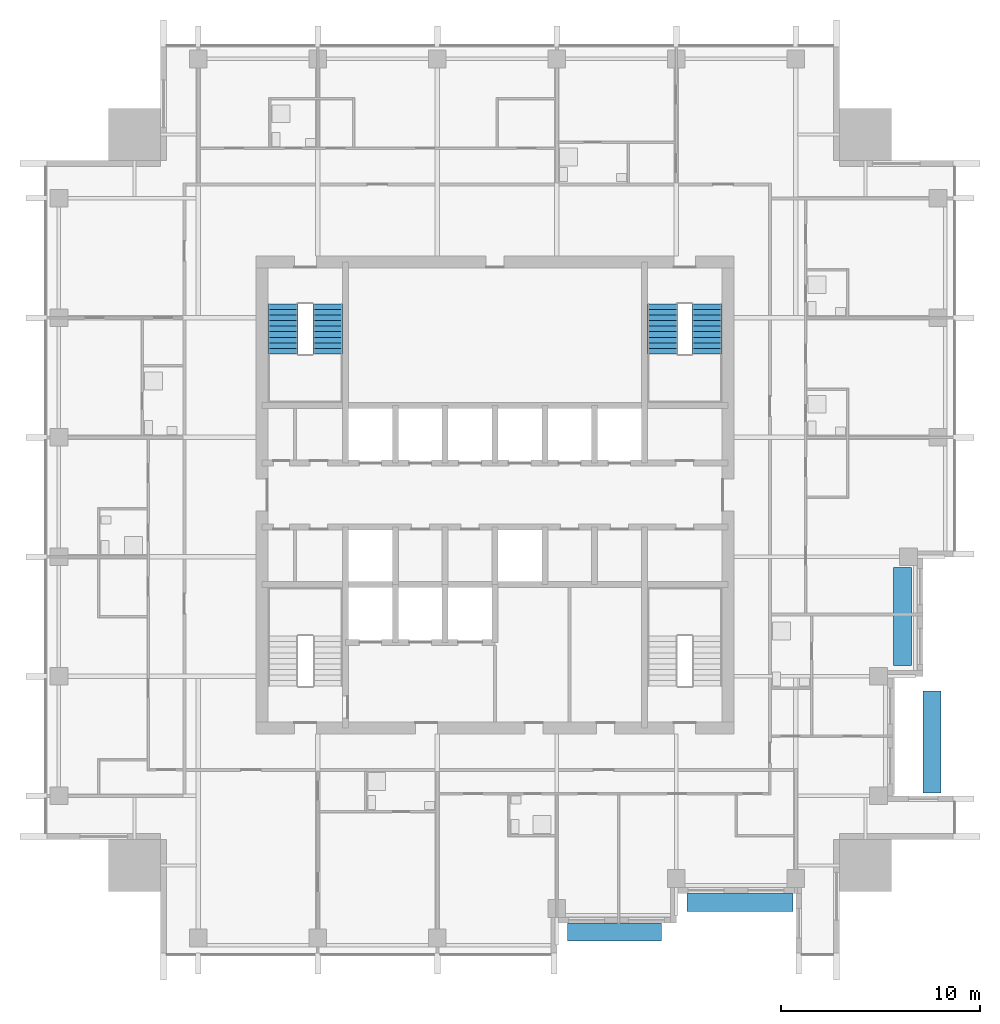
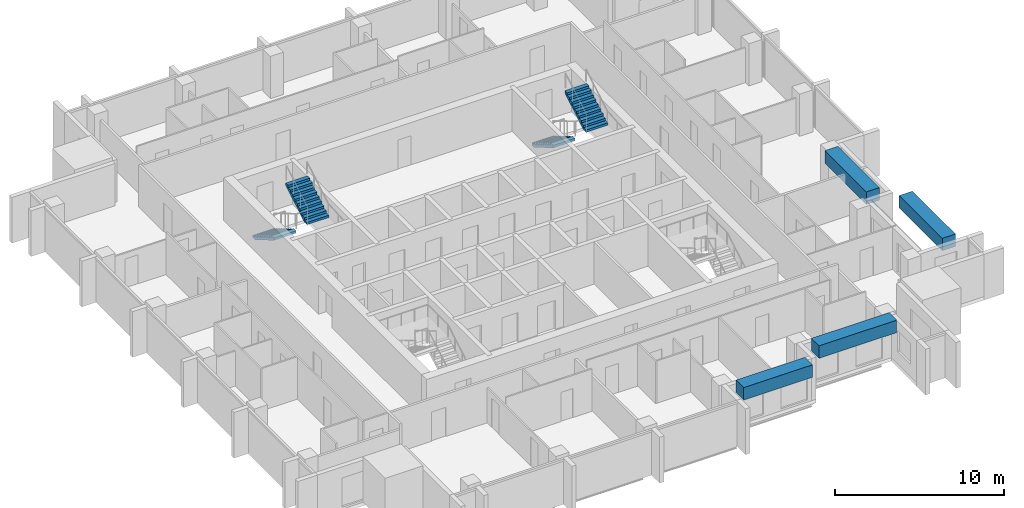
# One storey, part 8 of 10: 4 discrete accessories, 4 stair flights, 2 elements without a shape of their own.
"""IFC4 building model written with IfcOpenShell, lengths in metres."""

import ifcopenshell
import ifcopenshell.guid

model = None  # the IFC model being written
_history = None  # IfcOwnerHistory: only IFC2X3 demands one
_inside = {}  # id of a spatial element -> (the spatial element, [elements in it])
_under = {}  # id of a project, library or spatial element -> (it, [spatial elements below it])
_declared = {}  # id of a project -> (the project, [libraries it declares])
_typed = {}  # id of a type object -> (the type object, [elements of that type])
_made_of = {}  # id of a material, layer set ... -> (it, [elements and type objects made of it])


def new_model(schema):
    """Start an empty IFC model of exactly this schema.

    Asked for "IFC4X3", IfcOpenShell would pick the latest addendum, in which some entities
    have other attributes; the version numbers below select the first issue.
    IFC2X3 requires an IfcOwnerHistory on every rooted entity: one is made here for all.
    """
    global model, _history
    if schema == "IFC4X3":
        model = ifcopenshell.file(schema_version=(4, 3, 0, 0))
    else:
        model = ifcopenshell.file(schema=schema)
    _inside.clear()
    _under.clear()
    _declared.clear()
    _typed.clear()
    _made_of.clear()
    _history = None
    if model.schema == "IFC2X3":
        org = make("IfcOrganization", Name="unknown")
        user = make(
            "IfcPersonAndOrganization",
            ThePerson=make("IfcPerson", FamilyName="unknown"),
            TheOrganization=org,
        )
        app = make(
            "IfcApplication",
            ApplicationDeveloper=org,
            Version="unknown",
            ApplicationFullName="unknown",
            ApplicationIdentifier="unknown",
        )
        _history = make(
            "IfcOwnerHistory",
            OwningUser=user,
            OwningApplication=app,
            ChangeAction="ADDED",
            CreationDate=0,
        )
    return model


def make(cls, **values):
    """One entity of the class cls with the attributes given. An attribute that is None is left unset."""
    return model.create_entity(
        cls, **{name: value for name, value in values.items() if value is not None}
    )


def rooted(cls, **values):
    """An entity with a GlobalId (a new one), such as an element, a storey or a relation."""
    return make(cls, GlobalId=ifcopenshell.guid.new(), OwnerHistory=_history, **values)


def si_unit(unit_type, name, prefix=None):
    """IfcSIUnit, for example si_unit("LENGTHUNIT", "METRE", prefix="MILLI")."""
    return make("IfcSIUnit", UnitType=unit_type, Prefix=prefix, Name=name)


def assignment(units):
    """IfcUnitAssignment: the units of a project."""
    return None if units is None else make("IfcUnitAssignment", Units=units)


def point(xyz):
    """IfcCartesianPoint."""
    return None if xyz is None else make("IfcCartesianPoint", Coordinates=xyz)


def direction(xyz):
    """IfcDirection."""
    return None if xyz is None else make("IfcDirection", DirectionRatios=xyz)


def frame(location, z_axis=None, x_axis=None):
    """IfcAxis2Placement3D, a coordinate frame: its origin and axes. An axis left out is left unset."""
    return make(
        "IfcAxis2Placement3D",
        Location=point(location),
        Axis=direction(z_axis),
        RefDirection=direction(x_axis),
    )


def frame_2d(location, x_axis=None):
    """IfcAxis2Placement2D, a coordinate frame in the plane: its origin and x axis."""
    return make(
        "IfcAxis2Placement2D", Location=point(location), RefDirection=direction(x_axis)
    )


def origin():
    """The frame at (0, 0, 0) with its axes left unset."""
    return frame((0.0, 0.0, 0.0))


def origin_2d():
    """The frame at (0, 0) in the plane with its x axis left unset."""
    return frame_2d((0.0, 0.0))


def place(relative_to, where):
    """IfcLocalPlacement: puts the frame where relative to a parent placement (None: the world)."""
    return make(
        "IfcLocalPlacement", PlacementRelTo=relative_to, RelativePlacement=where
    )


def context(
    kind, dimensions, precision=None, world=None, true_north=None, identifier=None
):
    """IfcGeometricRepresentationContext, for example the 3D "Model" context."""
    return make(
        "IfcGeometricRepresentationContext",
        ContextIdentifier=identifier,
        ContextType=kind,
        CoordinateSpaceDimension=dimensions,
        Precision=precision,
        WorldCoordinateSystem=world,
        TrueNorth=true_north,
    )


def subcontext(parent, identifier, kind, view, scale=None):
    """IfcGeometricRepresentationSubContext, for example "Body" below "Model"."""
    return make(
        "IfcGeometricRepresentationSubContext",
        ContextIdentifier=identifier,
        ContextType=kind,
        ParentContext=parent,
        TargetScale=scale,
        TargetView=view,
    )


def project(units=None, contexts=None):
    """IfcProject with its units and contexts."""
    return rooted(
        "IfcProject",
        Name="project",
        RepresentationContexts=contexts,
        UnitsInContext=assignment(units),
    )


def spatial(cls, under=None, at=None, **own):
    """A site, building, storey or space (cls), placed at a placement, below another one or the project."""
    s = rooted(cls, ObjectPlacement=at, **own)
    if under is not None:
        _under.setdefault(under.id(), (under, []))[1].append(s)
    return s


def polyline(points):
    """IfcPolyline through the points."""
    return make("IfcPolyline", Points=[point(p) for p in points])


def profile(cls, at=None, kind="AREA", **sizes):
    """A parametric profile (cls). Its sizes go by their IFC names, for example OverallWidth=200.0."""
    return make(cls, ProfileType=kind, Position=at, **sizes)


def rectangle(**sizes):
    """IfcRectangleProfileDef."""
    return profile("IfcRectangleProfileDef", **sizes)


def outline(outer, holes=None, kind="AREA"):
    """IfcArbitraryClosedProfileDef: a profile drawn as a closed curve; with holes, ...WithVoids."""
    if holes is None:
        return make("IfcArbitraryClosedProfileDef", ProfileType=kind, OuterCurve=outer)
    return make(
        "IfcArbitraryProfileDefWithVoids",
        ProfileType=kind,
        OuterCurve=outer,
        InnerCurves=holes,
    )


def extrude(swept, where, along, depth):
    """IfcExtrudedAreaSolid: the profile swept, set in the frame where, extruded along a direction by depth."""
    return make(
        "IfcExtrudedAreaSolid",
        SweptArea=swept,
        Position=where,
        ExtrudedDirection=direction(along),
        Depth=depth,
    )


def shape(context_of_items, identifier, shape_type, items):
    """IfcShapeRepresentation: the items that make up one representation, for example the "Body"."""
    return make(
        "IfcShapeRepresentation",
        ContextOfItems=context_of_items,
        RepresentationIdentifier=identifier,
        RepresentationType=shape_type,
        Items=items,
    )


def material(Name=None, Category=None):
    """IfcMaterial."""
    return make("IfcMaterial", Name=Name, Category=Category)


def made_of(thing, what):
    """Note that an element or type object is made of a material, layer set ...; save() writes the relation."""
    if what is not None:
        _made_of.setdefault(what.id(), (what, []))[1].append(thing)
    return thing


def type_object(cls, material=None, **own):
    """A type object (cls), such as IfcWallType, which elements share."""
    return made_of(rooted(cls, **own), material)


def element(
    cls,
    number,
    at=None,
    inside=None,
    cuts=None,
    type_object=None,
    material=None,
    context=None,
    identifier="Body",
    shape_type=None,
    held_by="IfcProductDefinitionShape",
    body=None,
    shapes=None,
    **own,
):
    """One element of the class cls, such as IfcWall. Its Tag is "e" and its number.

    at: its placement. inside: the storey or other place that contains it. cuts: it is an
    opening in that element (IfcRelVoidsElement). A single representation is given by context,
    identifier, shape_type and body (its items); several are given by shapes. held_by: the class
    of the entity that holds the representations. save() writes the other relations.
    """
    e = rooted(cls, Tag="e%d" % number, ObjectPlacement=at, **own)
    if body is not None:
        shapes = [shape(context, identifier, shape_type, body)]
    if shapes is not None:
        e.Representation = make(held_by, Representations=shapes)
    if inside is not None:
        _inside.setdefault(inside.id(), (inside, []))[1].append(e)
    if cuts is not None:
        rooted(
            "IfcRelVoidsElement", RelatingBuildingElement=cuts, RelatedOpeningElement=e
        )
    if type_object is not None:
        _typed.setdefault(type_object.id(), (type_object, []))[1].append(e)
    return made_of(e, material)


def aggregate(whole, parts):
    """IfcRelAggregates: a whole, such as a stair, and the parts it consists of."""
    return rooted("IfcRelAggregates", RelatingObject=whole, RelatedObjects=parts)


def save(model, path):
    """Write the relations noted so far, then the file.

    IfcRelAggregates (storeys below a building ...), IfcRelContainedInSpatialStructure (elements
    in a storey), IfcRelDefinesByType, IfcRelAssociatesMaterial and IfcRelDeclares: one each for
    every whole, place, type object, material and project.
    """
    for whole, parts in _under.values():
        aggregate(whole, parts)
    for where, things in _inside.values():
        rooted(
            "IfcRelContainedInSpatialStructure",
            RelatedElements=things,
            RelatingStructure=where,
        )
    for kind, things in _typed.values():
        rooted("IfcRelDefinesByType", RelatedObjects=things, RelatingType=kind)
    for what, things in _made_of.values():
        rooted("IfcRelAssociatesMaterial", RelatedObjects=things, RelatingMaterial=what)
    for by, libraries in _declared.values():
        rooted("IfcRelDeclares", RelatingContext=by, RelatedDefinitions=libraries)
    model.write(path)


model = new_model("IFC4")

# Units and contexts
model_context = context("Model", 3, precision=1e-05, world=origin(), true_north=direction((0.0, 1.0)))
body_context = subcontext(model_context, "Body", "Model", "MODEL_VIEW")
ifc_project = project(units=[si_unit("LENGTHUNIT", "METRE"), si_unit("AREAUNIT", "SQUARE_METRE"), si_unit("VOLUMEUNIT", "CUBIC_METRE"), si_unit("PLANEANGLEUNIT", "RADIAN"), si_unit("MASSUNIT", "GRAM", prefix="KILO")], contexts=[model_context])

# Site, building, storey
site_placement = place(None, origin())
site = spatial("IfcSite", under=ifc_project, at=site_placement, CompositionType="ELEMENT")
building_placement = place(site_placement, origin())
building = spatial("IfcBuilding", under=site, at=building_placement, Name="Amberfall Residences", CompositionType="ELEMENT")
storey_placement = place(building_placement, frame((0.0, 0.0, 193.60009765625)))
storey = spatial("IfcBuildingStorey", under=building, at=storey_placement, Name="L51", CompositionType="ELEMENT", Elevation=193.60009765625)

# Stair, stair flights
ifc_material = material(Name="Concrete C40", Category="concrete")
stair_type = type_object("IfcStairType", Name="Exit stair 20 risers 165.0 mm", PredefinedType="HALF_TURN_STAIR", material=ifc_material)
stair_1_placement = place(storey_placement, origin())
stair_1 = element("IfcStair", 1, at=stair_1_placement, inside=storey, type_object=stair_type, Name="L51 Exit stair 3", PredefinedType="HALF_TURN_STAIR")
stair_flight_type = type_object("IfcStairFlightType", Name="Stair flight 10 risers 165.0 mm", PredefinedType="STRAIGHT", material=ifc_material)
stair_flight_1_placement = place(storey_placement, frame((82.89990234375, 55.10009765625, 0.0), z_axis=(0.0, 0.0, 1.0), x_axis=(0.0, -1.0, 0.0)))
stair_flight_1 = element("IfcStairFlight", 2, at=stair_flight_1_placement, type_object=stair_flight_type, Name="ST3 flight 1", NumberOfRisers=10, NumberOfTreads=9, PredefinedType="STRAIGHT", RiserHeight=0.165, TreadLength=0.28, context=body_context, shape_type="SweptSolid", body=[
    extrude(outline(polyline([(0.0, 0.0), (0.0, 0.1650390625), (0.280029296875, 0.1650390625), (0.280029296875, 0.330078125), (0.56005859375, 0.330078125), (0.56005859375, 0.4951171875), (0.840087890625, 0.4951171875), (0.840087890625, 0.659912109375), (1.1201171875, 0.659912109375), (1.1201171875, 0.824951171875), (1.39990234375, 0.824951171875), (1.39990234375, 0.989990234375), (1.679931640625, 0.989990234375), (1.679931640625, 1.155029296875), (1.9599609375, 1.155029296875), (1.9599609375, 1.320068359375), (2.239990234375, 1.320068359375), (2.239990234375, 1.485107421875), (2.52001953125, 1.485107421875), (2.52001953125, 1.64990234375), (2.52001953125, 1.31103515625), (0.295166015625, 0.0), (0.0, 0.0)])), frame((0.0, 0.75, 0.0), z_axis=(0.0, -1.0, 0.0), x_axis=(1.0, 0.0, 0.0)), (0.0, 0.0, 1.0), 1.5),
])
stair_flight_2_placement = place(storey_placement, frame((85.14990234375, 52.580078125, 1.64990234375), z_axis=(0.0, 0.0, 1.0), x_axis=(0.0, 1.0, 0.0)))
stair_flight_2 = element("IfcStairFlight", 3, at=stair_flight_2_placement, type_object=stair_flight_type, Name="ST3 flight 2", NumberOfRisers=10, NumberOfTreads=9, PredefinedType="STRAIGHT", RiserHeight=0.165, TreadLength=0.28, context=body_context, shape_type="SweptSolid", body=[
    extrude(outline(polyline([(0.0, 0.0), (0.0, 0.1650390625), (0.280029296875, 0.1650390625), (0.280029296875, 0.330078125), (0.56005859375, 0.330078125), (0.56005859375, 0.4951171875), (0.840087890625, 0.4951171875), (0.840087890625, 0.659912109375), (1.1201171875, 0.659912109375), (1.1201171875, 0.824951171875), (1.39990234375, 0.824951171875), (1.39990234375, 0.989990234375), (1.679931640625, 0.989990234375), (1.679931640625, 1.155029296875), (1.9599609375, 1.155029296875), (1.9599609375, 1.320068359375), (2.239990234375, 1.320068359375), (2.239990234375, 1.485107421875), (2.52001953125, 1.485107421875), (2.52001953125, 1.64990234375), (2.52001953125, 1.31103515625), (0.295166015625, 0.0), (0.0, 0.0)])), frame((0.0, 0.75, 0.0), z_axis=(0.0, -1.0, 0.0), x_axis=(1.0, 0.0, 0.0)), (0.0, 0.0, 1.0), 1.5),
])
aggregate(stair_1, [stair_flight_1, stair_flight_2])

stair_2_placement = place(storey_placement, origin())
stair_2 = element("IfcStair", 4, at=stair_2_placement, inside=storey, type_object=stair_type, Name="L51 Exit stair 4", PredefinedType="HALF_TURN_STAIR")
stair_flight_3_placement = place(storey_placement, frame((63.85009765625, 55.10009765625, 0.0), z_axis=(0.0, 0.0, 1.0), x_axis=(0.0, -1.0, 0.0)))
stair_flight_3 = element("IfcStairFlight", 5, at=stair_flight_3_placement, type_object=stair_flight_type, Name="ST3 flight 1", NumberOfRisers=10, NumberOfTreads=9, PredefinedType="STRAIGHT", RiserHeight=0.165, TreadLength=0.28, context=body_context, shape_type="SweptSolid", body=[
    extrude(outline(polyline([(0.0, 0.0), (0.0, 0.1650390625), (0.280029296875, 0.1650390625), (0.280029296875, 0.330078125), (0.56005859375, 0.330078125), (0.56005859375, 0.4951171875), (0.840087890625, 0.4951171875), (0.840087890625, 0.659912109375), (1.1201171875, 0.659912109375), (1.1201171875, 0.824951171875), (1.39990234375, 0.824951171875), (1.39990234375, 0.989990234375), (1.679931640625, 0.989990234375), (1.679931640625, 1.155029296875), (1.9599609375, 1.155029296875), (1.9599609375, 1.320068359375), (2.239990234375, 1.320068359375), (2.239990234375, 1.485107421875), (2.52001953125, 1.485107421875), (2.52001953125, 1.64990234375), (2.52001953125, 1.31103515625), (0.295166015625, 0.0), (0.0, 0.0)])), frame((0.0, 0.75, 0.0), z_axis=(0.0, -1.0, 0.0), x_axis=(1.0, 0.0, 0.0)), (0.0, 0.0, 1.0), 1.5),
])
stair_flight_4_placement = place(storey_placement, frame((66.10009765625, 52.580078125, 1.64990234375), z_axis=(0.0, 0.0, 1.0), x_axis=(0.0, 1.0, 0.0)))
stair_flight_4 = element("IfcStairFlight", 6, at=stair_flight_4_placement, type_object=stair_flight_type, Name="ST3 flight 2", NumberOfRisers=10, NumberOfTreads=9, PredefinedType="STRAIGHT", RiserHeight=0.165, TreadLength=0.28, context=body_context, shape_type="SweptSolid", body=[
    extrude(outline(polyline([(0.0, 0.0), (0.0, 0.1650390625), (0.280029296875, 0.1650390625), (0.280029296875, 0.330078125), (0.56005859375, 0.330078125), (0.56005859375, 0.4951171875), (0.840087890625, 0.4951171875), (0.840087890625, 0.659912109375), (1.1201171875, 0.659912109375), (1.1201171875, 0.824951171875), (1.39990234375, 0.824951171875), (1.39990234375, 0.989990234375), (1.679931640625, 0.989990234375), (1.679931640625, 1.155029296875), (1.9599609375, 1.155029296875), (1.9599609375, 1.320068359375), (2.239990234375, 1.320068359375), (2.239990234375, 1.485107421875), (2.52001953125, 1.485107421875), (2.52001953125, 1.64990234375), (2.52001953125, 1.31103515625), (0.295166015625, 0.0), (0.0, 0.0)])), frame((0.0, 0.75, 0.0), z_axis=(0.0, -1.0, 0.0), x_axis=(1.0, 0.0, 0.0)), (0.0, 0.0, 1.0), 1.5),
])
aggregate(stair_2, [stair_flight_3, stair_flight_4])

# Discrete accessories
discrete_accessory_1_placement = place(storey_placement, frame((80.4951171875, 23.550048828125, 2.39990234375), z_axis=(0.0, 0.0, 1.0), x_axis=(1.0, 0.0, 0.0)))
element("IfcDiscreteAccessory", 7, at=discrete_accessory_1_placement, inside=storey, Name="Planter box L52 S3", ObjectType="PLANTER BOX", PredefinedType="USERDEFINED", context=body_context, shape_type="SweptSolid", body=[
    extrude(rectangle(XDim=4.7099609375, YDim=0.89990234375, at=origin_2d()), origin(), (0.0, 0.0, 1.0), 0.89990234375),
])
discrete_accessory_2_placement = place(storey_placement, frame((86.794921875, 25.050048828125, 2.39990234375), z_axis=(0.0, 0.0, 1.0), x_axis=(1.0, 0.0, 0.0)))
element("IfcDiscreteAccessory", 8, at=discrete_accessory_2_placement, inside=storey, Name="Planter box L52 S5", ObjectType="PLANTER BOX", PredefinedType="USERDEFINED", context=body_context, shape_type="SweptSolid", body=[
    extrude(rectangle(XDim=5.31005859375, YDim=0.89990234375, at=origin_2d()), origin(), (0.0, 0.0, 1.0), 0.89990234375),
])
discrete_accessory_3_placement = place(storey_placement, frame((96.449951171875, 33.10009765625, 2.39990234375), z_axis=(0.0, 0.0, 1.0), x_axis=(0.0, 1.0, 0.0)))
element("IfcDiscreteAccessory", 9, at=discrete_accessory_3_placement, inside=storey, Name="Planter box L52 E3", ObjectType="PLANTER BOX", PredefinedType="USERDEFINED", context=body_context, shape_type="SweptSolid", body=[
    extrude(rectangle(XDim=5.10009765625, YDim=0.89990234375, at=origin_2d()), origin(), (0.0, 0.0, 1.0), 0.89990234375),
])
discrete_accessory_4_placement = place(storey_placement, frame((94.949951171875, 39.39501953125, 2.39990234375), z_axis=(0.0, 0.0, 1.0), x_axis=(0.0, 1.0, 0.0)))
element("IfcDiscreteAccessory", 10, at=discrete_accessory_4_placement, inside=storey, Name="Planter box L52 E5", ObjectType="PLANTER BOX", PredefinedType="USERDEFINED", context=body_context, shape_type="SweptSolid", body=[
    extrude(rectangle(XDim=4.909912109375, YDim=0.89990234375, at=origin_2d()), origin(), (0.0, 0.0, 1.0), 0.89990234375),
])

save(model, "model.ifc")
